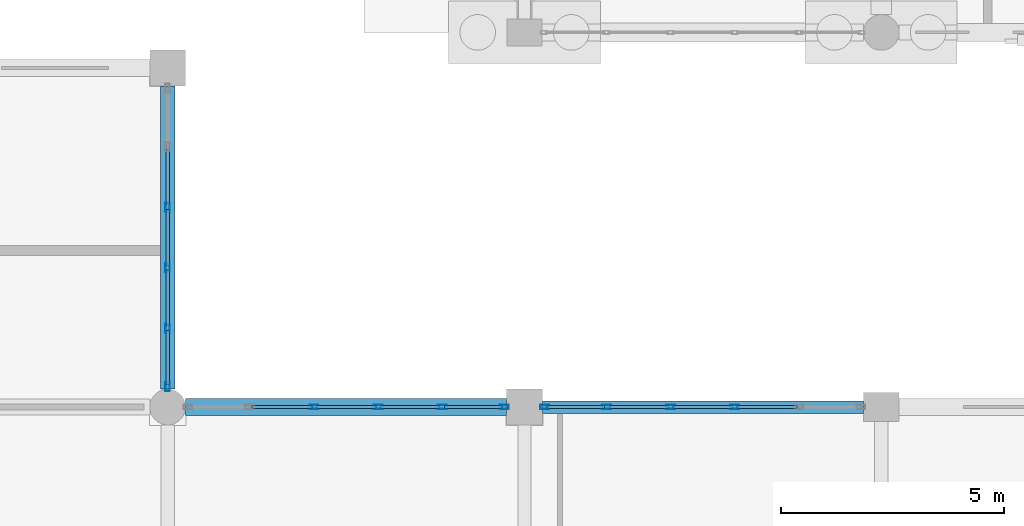
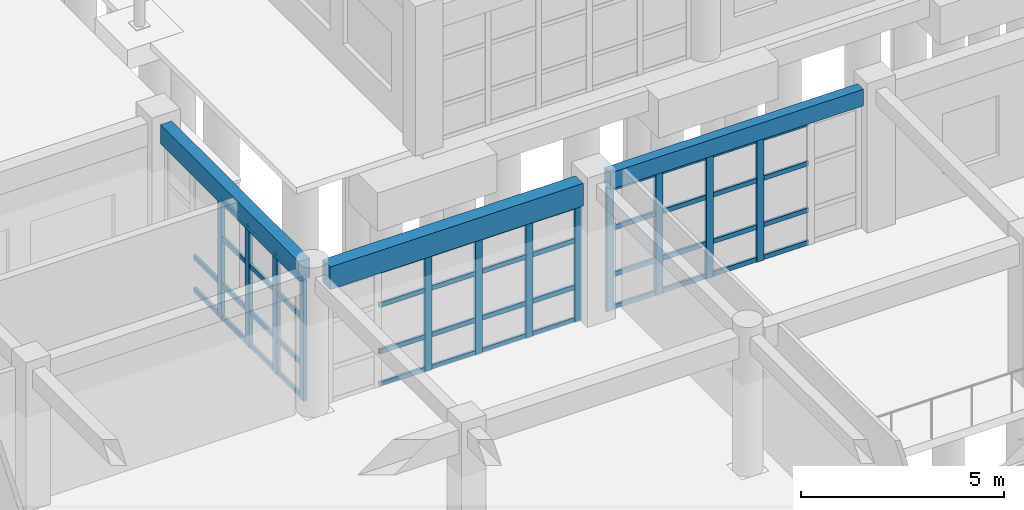
# One storey, part 85 of 166: 58 members, 3 beams, 3 elements without a shape of their own.
"""IFC4 building model written with IfcOpenShell, lengths in metres."""

from ifc_helpers import new_model, si_unit, direction, frame, origin, origin_2d, place, context, subcontext, project, spatial, rectangle, hollow_rectangle, extrude, material, material_profile, profile_set, type_object, element, aggregate, save


model = new_model("IFC4")

# Units and contexts
model_context = context("Model", 3, precision=1e-05, world=origin(), true_north=direction((0.0, 1.0)))
body_context = subcontext(model_context, "Body", "Model", "MODEL_VIEW")
ifc_project = project(units=[si_unit("LENGTHUNIT", "METRE"), si_unit("AREAUNIT", "SQUARE_METRE"), si_unit("VOLUMEUNIT", "CUBIC_METRE"), si_unit("PLANEANGLEUNIT", "RADIAN"), si_unit("MASSUNIT", "GRAM", prefix="KILO")], contexts=[model_context])

# Site, building, storey
site_placement = place(None, origin())
site = spatial("IfcSite", under=ifc_project, at=site_placement, CompositionType="ELEMENT")
building_placement = place(site_placement, origin())
building = spatial("IfcBuilding", under=site, at=building_placement, Name="Kharva Crest Polytechnic", CompositionType="ELEMENT")
storey_placement = place(building_placement, origin())
storey = spatial("IfcBuildingStorey", under=building, at=storey_placement, Name="L00", CompositionType="ELEMENT", Elevation=0.0)

# Curtain wall, members
ifc_material_1 = material(Name="Tempered insulated glass", Category="glass")
curtain_wall_type = type_object("IfcCurtainWallType", Name="CW-SYS-REFECTORY", PredefinedType="USERDEFINED", material=ifc_material_1)
curtain_wall_1_placement = place(storey_placement, origin())
curtain_wall_1 = element("IfcCurtainWall", 1, at=curtain_wall_1_placement, inside=storey, type_object=curtain_wall_type, Name="L00 Glazed Curtain Wall CW-005", ObjectType="CURTAIN WALL", PredefinedType="USERDEFINED")
ifc_material_2 = material(Name="Steel S355", Category="steel")
ifc_material_profile_1 = material_profile(ifc_material_2, hollow_rectangle(XDim=0.10009765625, YDim=0.199951171875, WallThickness=0.00634765625, at=origin_2d()), Name="RHS 200X100X6.3")
ifc_profile_set_1 = profile_set([ifc_material_profile_1], Name="Steel S355")
member_type_1 = type_object("IfcMemberType", Name="CWM-RHS200X100", PredefinedType="MULLION", material=ifc_profile_set_1)
member_1_placement = place(storey_placement, frame((144.800048828125, 30.85498046875, 0.0), z_axis=(0.0, 0.0, 1.0), x_axis=(-1.0, 0.0, 0.0)))
member_1 = element("IfcMember", 2, at=member_1_placement, type_object=member_type_1, Name="CW-005 mullion 1", PredefinedType="MULLION", context=body_context, shape_type="SweptSolid", body=[
    extrude(hollow_rectangle(XDim=0.10009765625, YDim=0.199951171875, WallThickness=0.00634765625, at=origin_2d()), origin(), (0.0, 0.0, 1.0), 3.639892578125),
])
member_2_placement = place(storey_placement, frame((144.800048828125, 32.1630859375, 0.0), z_axis=(0.0, 0.0, 1.0), x_axis=(-1.0, 0.0, 0.0)))
member_2 = element("IfcMember", 3, at=member_2_placement, type_object=member_type_1, Name="CW-005 mullion 2", PredefinedType="MULLION", context=body_context, shape_type="SweptSolid", body=[
    extrude(hollow_rectangle(XDim=0.10009765625, YDim=0.199951171875, WallThickness=0.00634765625, at=origin_2d()), origin(), (0.0, 0.0, 1.0), 3.639892578125),
])
member_3_placement = place(storey_placement, frame((144.800048828125, 33.52099609375, 0.0), z_axis=(0.0, 0.0, 1.0), x_axis=(-1.0, 0.0, 0.0)))
member_3 = element("IfcMember", 4, at=member_3_placement, type_object=member_type_1, Name="CW-005 mullion 3", PredefinedType="MULLION", context=body_context, shape_type="SweptSolid", body=[
    extrude(hollow_rectangle(XDim=0.10009765625, YDim=0.199951171875, WallThickness=0.00634765625, at=origin_2d()), origin(), (0.0, 0.0, 1.0), 3.639892578125),
])
member_4_placement = place(storey_placement, frame((144.800048828125, 34.87890625, 0.0), z_axis=(0.0, 0.0, 1.0), x_axis=(-1.0, 0.0, 0.0)))
member_4 = element("IfcMember", 5, at=member_4_placement, type_object=member_type_1, Name="CW-005 mullion 4", PredefinedType="MULLION", context=body_context, shape_type="SweptSolid", body=[
    extrude(hollow_rectangle(XDim=0.10009765625, YDim=0.199951171875, WallThickness=0.00634765625, at=origin_2d()), origin(), (0.0, 0.0, 1.0), 3.639892578125),
])

curtain_wall_2_placement = place(storey_placement, origin())
curtain_wall_2 = element("IfcCurtainWall", 6, at=curtain_wall_2_placement, inside=storey, type_object=curtain_wall_type, Name="L00 Glazed Curtain Wall CW-012", ObjectType="CURTAIN WALL", PredefinedType="USERDEFINED")
member_5_placement = place(storey_placement, frame((157.51904296875, 30.39990234375, 0.0), z_axis=(0.0, 0.0, 1.0), x_axis=(0.0, -1.0, 0.0)))
member_5 = element("IfcMember", 7, at=member_5_placement, type_object=member_type_1, Name="CW-012 mullion 3", PredefinedType="MULLION", context=body_context, shape_type="SweptSolid", body=[
    extrude(hollow_rectangle(XDim=0.10009765625, YDim=0.199951171875, WallThickness=0.00634765625, at=origin_2d()), origin(), (0.0, 0.0, 1.0), 3.719970703125),
])
member_6_placement = place(storey_placement, frame((156.0810546875, 30.39990234375, 0.0), z_axis=(0.0, 0.0, 1.0), x_axis=(0.0, -1.0, 0.0)))
member_6 = element("IfcMember", 8, at=member_6_placement, type_object=member_type_1, Name="CW-012 mullion 4", PredefinedType="MULLION", context=body_context, shape_type="SweptSolid", body=[
    extrude(hollow_rectangle(XDim=0.10009765625, YDim=0.199951171875, WallThickness=0.00634765625, at=origin_2d()), origin(), (0.0, 0.0, 1.0), 3.719970703125),
])
member_7_placement = place(storey_placement, frame((154.64306640625, 30.39990234375, 0.0), z_axis=(0.0, 0.0, 1.0), x_axis=(0.0, -1.0, 0.0)))
member_7 = element("IfcMember", 9, at=member_7_placement, type_object=member_type_1, Name="CW-012 mullion 5", PredefinedType="MULLION", context=body_context, shape_type="SweptSolid", body=[
    extrude(hollow_rectangle(XDim=0.10009765625, YDim=0.199951171875, WallThickness=0.00634765625, at=origin_2d()), origin(), (0.0, 0.0, 1.0), 3.719970703125),
])
member_8_placement = place(storey_placement, frame((153.2548828125, 30.39990234375, 0.0), z_axis=(0.0, 0.0, 1.0), x_axis=(0.0, -1.0, 0.0)))
member_8 = element("IfcMember", 10, at=member_8_placement, type_object=member_type_1, Name="CW-012 mullion 6", PredefinedType="MULLION", context=body_context, shape_type="SweptSolid", body=[
    extrude(hollow_rectangle(XDim=0.10009765625, YDim=0.199951171875, WallThickness=0.00634765625, at=origin_2d()), origin(), (0.0, 0.0, 1.0), 3.719970703125),
])

curtain_wall_3_placement = place(storey_placement, origin())
curtain_wall_3 = element("IfcCurtainWall", 11, at=curtain_wall_3_placement, inside=storey, type_object=curtain_wall_type, Name="L00 Glazed Curtain Wall CW-013", ObjectType="CURTAIN WALL", PredefinedType="USERDEFINED")
member_9_placement = place(storey_placement, frame((152.344970703125, 30.39990234375, 0.0), z_axis=(0.0, 0.0, 1.0), x_axis=(0.0, -1.0, 0.0)))
member_9 = element("IfcMember", 12, at=member_9_placement, type_object=member_type_1, Name="CW-013 mullion 1", PredefinedType="MULLION", context=body_context, shape_type="SweptSolid", body=[
    extrude(hollow_rectangle(XDim=0.10009765625, YDim=0.199951171875, WallThickness=0.00634765625, at=origin_2d()), origin(), (0.0, 0.0, 1.0), 3.5400390625),
])
member_10_placement = place(storey_placement, frame((150.95703125, 30.39990234375, 0.0), z_axis=(0.0, 0.0, 1.0), x_axis=(0.0, -1.0, 0.0)))
member_10 = element("IfcMember", 13, at=member_10_placement, type_object=member_type_1, Name="CW-013 mullion 2", PredefinedType="MULLION", context=body_context, shape_type="SweptSolid", body=[
    extrude(hollow_rectangle(XDim=0.10009765625, YDim=0.199951171875, WallThickness=0.00634765625, at=origin_2d()), origin(), (0.0, 0.0, 1.0), 3.5400390625),
])
member_11_placement = place(storey_placement, frame((149.51904296875, 30.39990234375, 0.0), z_axis=(0.0, 0.0, 1.0), x_axis=(0.0, -1.0, 0.0)))
member_11 = element("IfcMember", 14, at=member_11_placement, type_object=member_type_1, Name="CW-013 mullion 3", PredefinedType="MULLION", context=body_context, shape_type="SweptSolid", body=[
    extrude(hollow_rectangle(XDim=0.10009765625, YDim=0.199951171875, WallThickness=0.00634765625, at=origin_2d()), origin(), (0.0, 0.0, 1.0), 3.5400390625),
])
member_12_placement = place(storey_placement, frame((148.0810546875, 30.39990234375, 0.0), z_axis=(0.0, 0.0, 1.0), x_axis=(0.0, -1.0, 0.0)))
member_12 = element("IfcMember", 15, at=member_12_placement, type_object=member_type_1, Name="CW-013 mullion 4", PredefinedType="MULLION", context=body_context, shape_type="SweptSolid", body=[
    extrude(hollow_rectangle(XDim=0.10009765625, YDim=0.199951171875, WallThickness=0.00634765625, at=origin_2d()), origin(), (0.0, 0.0, 1.0), 3.5400390625),
])

# Member
ifc_material_profile_2 = material_profile(ifc_material_2, hollow_rectangle(XDim=0.070068359375, YDim=0.139892578125, WallThickness=0.00390625, at=origin_2d()), Name="RHS 140X70X4.0")
ifc_profile_set_2 = profile_set([ifc_material_profile_2], Name="Steel S355")
member_type_2 = type_object("IfcMemberType", Name="CWT-RHS140X70", PredefinedType="USERDEFINED", material=ifc_profile_set_2)
member_13_placement = place(storey_placement, frame((144.800048828125, 30.905029296875, 0.070068359375), z_axis=(0.0, 1.0, 0.0), x_axis=(-1.0, 0.0, 0.0)))
member_13 = element("IfcMember", 16, at=member_13_placement, type_object=member_type_2, Name="CW-005 transom 1.1", ObjectType="TRANSOM", PredefinedType="USERDEFINED", context=body_context, shape_type="SweptSolid", body=[
    extrude(hollow_rectangle(XDim=0.070068359375, YDim=0.139892578125, WallThickness=0.00390625, at=origin_2d()), origin(), (0.0, 0.0, 1.0), 1.2080078125),
])

member_14_placement = place(storey_placement, frame((144.800048828125, 30.905029296875, 1.050048828125), z_axis=(0.0, 1.0, 0.0), x_axis=(-1.0, 0.0, 0.0)))
member_14 = element("IfcMember", 17, at=member_14_placement, type_object=member_type_2, Name="CW-005 transom 1.2", ObjectType="TRANSOM", PredefinedType="USERDEFINED", context=body_context, shape_type="SweptSolid", body=[
    extrude(hollow_rectangle(XDim=0.070068359375, YDim=0.139892578125, WallThickness=0.00390625, at=origin_2d()), origin(), (0.0, 0.0, 1.0), 1.2080078125),
])

member_15_placement = place(storey_placement, frame((144.800048828125, 30.905029296875, 2.449951171875), z_axis=(0.0, 1.0, 0.0), x_axis=(-1.0, 0.0, 0.0)))
member_15 = element("IfcMember", 18, at=member_15_placement, type_object=member_type_2, Name="CW-005 transom 1.3", ObjectType="TRANSOM", PredefinedType="USERDEFINED", context=body_context, shape_type="SweptSolid", body=[
    extrude(hollow_rectangle(XDim=0.070068359375, YDim=0.139892578125, WallThickness=0.00390625, at=origin_2d()), origin(), (0.0, 0.0, 1.0), 1.2080078125),
])

member_16_placement = place(storey_placement, frame((144.800048828125, 30.905029296875, 3.570068359375), z_axis=(0.0, 1.0, 0.0), x_axis=(-1.0, 0.0, 0.0)))
member_16 = element("IfcMember", 19, at=member_16_placement, type_object=member_type_2, Name="CW-005 transom 1.4", ObjectType="TRANSOM", PredefinedType="USERDEFINED", context=body_context, shape_type="SweptSolid", body=[
    extrude(hollow_rectangle(XDim=0.070068359375, YDim=0.139892578125, WallThickness=0.00390625, at=origin_2d()), origin(), (0.0, 0.0, 1.0), 1.2080078125),
])

member_17_placement = place(storey_placement, frame((144.800048828125, 32.212890625, 0.070068359375), z_axis=(0.0, 1.0, 0.0), x_axis=(-1.0, 0.0, 0.0)))
member_17 = element("IfcMember", 20, at=member_17_placement, type_object=member_type_2, Name="CW-005 transom 2.1", ObjectType="TRANSOM", PredefinedType="USERDEFINED", context=body_context, shape_type="SweptSolid", body=[
    extrude(hollow_rectangle(XDim=0.070068359375, YDim=0.139892578125, WallThickness=0.00390625, at=origin_2d()), origin(), (0.0, 0.0, 1.0), 1.258056640625),
])

member_18_placement = place(storey_placement, frame((144.800048828125, 32.212890625, 1.050048828125), z_axis=(0.0, 1.0, 0.0), x_axis=(-1.0, 0.0, 0.0)))
member_18 = element("IfcMember", 21, at=member_18_placement, type_object=member_type_2, Name="CW-005 transom 2.2", ObjectType="TRANSOM", PredefinedType="USERDEFINED", context=body_context, shape_type="SweptSolid", body=[
    extrude(hollow_rectangle(XDim=0.070068359375, YDim=0.139892578125, WallThickness=0.00390625, at=origin_2d()), origin(), (0.0, 0.0, 1.0), 1.258056640625),
])

member_19_placement = place(storey_placement, frame((144.800048828125, 32.212890625, 2.449951171875), z_axis=(0.0, 1.0, 0.0), x_axis=(-1.0, 0.0, 0.0)))
member_19 = element("IfcMember", 22, at=member_19_placement, type_object=member_type_2, Name="CW-005 transom 2.3", ObjectType="TRANSOM", PredefinedType="USERDEFINED", context=body_context, shape_type="SweptSolid", body=[
    extrude(hollow_rectangle(XDim=0.070068359375, YDim=0.139892578125, WallThickness=0.00390625, at=origin_2d()), origin(), (0.0, 0.0, 1.0), 1.258056640625),
])

member_20_placement = place(storey_placement, frame((144.800048828125, 32.212890625, 3.570068359375), z_axis=(0.0, 1.0, 0.0), x_axis=(-1.0, 0.0, 0.0)))
member_20 = element("IfcMember", 23, at=member_20_placement, type_object=member_type_2, Name="CW-005 transom 2.4", ObjectType="TRANSOM", PredefinedType="USERDEFINED", context=body_context, shape_type="SweptSolid", body=[
    extrude(hollow_rectangle(XDim=0.070068359375, YDim=0.139892578125, WallThickness=0.00390625, at=origin_2d()), origin(), (0.0, 0.0, 1.0), 1.258056640625),
])

member_21_placement = place(storey_placement, frame((144.800048828125, 33.571044921875, 0.070068359375), z_axis=(0.0, 1.0, 0.0), x_axis=(-1.0, 0.0, 0.0)))
member_21 = element("IfcMember", 24, at=member_21_placement, type_object=member_type_2, Name="CW-005 transom 3.1", ObjectType="TRANSOM", PredefinedType="USERDEFINED", context=body_context, shape_type="SweptSolid", body=[
    extrude(hollow_rectangle(XDim=0.070068359375, YDim=0.139892578125, WallThickness=0.00390625, at=origin_2d()), origin(), (0.0, 0.0, 1.0), 1.258056640625),
])

member_22_placement = place(storey_placement, frame((144.800048828125, 33.571044921875, 1.050048828125), z_axis=(0.0, 1.0, 0.0), x_axis=(-1.0, 0.0, 0.0)))
member_22 = element("IfcMember", 25, at=member_22_placement, type_object=member_type_2, Name="CW-005 transom 3.2", ObjectType="TRANSOM", PredefinedType="USERDEFINED", context=body_context, shape_type="SweptSolid", body=[
    extrude(hollow_rectangle(XDim=0.070068359375, YDim=0.139892578125, WallThickness=0.00390625, at=origin_2d()), origin(), (0.0, 0.0, 1.0), 1.258056640625),
])

member_23_placement = place(storey_placement, frame((144.800048828125, 33.571044921875, 2.449951171875), z_axis=(0.0, 1.0, 0.0), x_axis=(-1.0, 0.0, 0.0)))
member_23 = element("IfcMember", 26, at=member_23_placement, type_object=member_type_2, Name="CW-005 transom 3.3", ObjectType="TRANSOM", PredefinedType="USERDEFINED", context=body_context, shape_type="SweptSolid", body=[
    extrude(hollow_rectangle(XDim=0.070068359375, YDim=0.139892578125, WallThickness=0.00390625, at=origin_2d()), origin(), (0.0, 0.0, 1.0), 1.258056640625),
])

member_24_placement = place(storey_placement, frame((144.800048828125, 33.571044921875, 3.570068359375), z_axis=(0.0, 1.0, 0.0), x_axis=(-1.0, 0.0, 0.0)))
member_24 = element("IfcMember", 27, at=member_24_placement, type_object=member_type_2, Name="CW-005 transom 3.4", ObjectType="TRANSOM", PredefinedType="USERDEFINED", context=body_context, shape_type="SweptSolid", body=[
    extrude(hollow_rectangle(XDim=0.070068359375, YDim=0.139892578125, WallThickness=0.00390625, at=origin_2d()), origin(), (0.0, 0.0, 1.0), 1.258056640625),
])

member_25_placement = place(storey_placement, frame((144.800048828125, 34.928955078125, 0.070068359375), z_axis=(0.0, 1.0, 0.0), x_axis=(-1.0, 0.0, 0.0)))
member_25 = element("IfcMember", 28, at=member_25_placement, type_object=member_type_2, Name="CW-005 transom 4.1", ObjectType="TRANSOM", PredefinedType="USERDEFINED", context=body_context, shape_type="SweptSolid", body=[
    extrude(hollow_rectangle(XDim=0.070068359375, YDim=0.139892578125, WallThickness=0.00390625, at=origin_2d()), origin(), (0.0, 0.0, 1.0), 1.258056640625),
])

member_26_placement = place(storey_placement, frame((144.800048828125, 34.928955078125, 1.050048828125), z_axis=(0.0, 1.0, 0.0), x_axis=(-1.0, 0.0, 0.0)))
member_26 = element("IfcMember", 29, at=member_26_placement, type_object=member_type_2, Name="CW-005 transom 4.2", ObjectType="TRANSOM", PredefinedType="USERDEFINED", context=body_context, shape_type="SweptSolid", body=[
    extrude(hollow_rectangle(XDim=0.070068359375, YDim=0.139892578125, WallThickness=0.00390625, at=origin_2d()), origin(), (0.0, 0.0, 1.0), 1.258056640625),
])

aggregate(curtain_wall_1, [member_1, member_2, member_3, member_4, member_13, member_14, member_15, member_16, member_17, member_18, member_19, member_20, member_21, member_22, member_23, member_24, member_25, member_26])

member_27_placement = place(storey_placement, frame((158.906982421875, 30.39990234375, 0.070068359375), z_axis=(-1.0, 0.0, 0.0), x_axis=(0.0, -1.0, 0.0)))
member_27 = element("IfcMember", 30, at=member_27_placement, type_object=member_type_2, Name="CW-012 transom 2.1", ObjectType="TRANSOM", PredefinedType="USERDEFINED", context=body_context, shape_type="SweptSolid", body=[
    extrude(hollow_rectangle(XDim=0.070068359375, YDim=0.139892578125, WallThickness=0.00390625, at=origin_2d()), origin(), (0.0, 0.0, 1.0), 1.337890625),
])

member_28_placement = place(storey_placement, frame((158.906982421875, 30.39990234375, 1.050048828125), z_axis=(-1.0, 0.0, 0.0), x_axis=(0.0, -1.0, 0.0)))
member_28 = element("IfcMember", 31, at=member_28_placement, type_object=member_type_2, Name="CW-012 transom 2.2", ObjectType="TRANSOM", PredefinedType="USERDEFINED", context=body_context, shape_type="SweptSolid", body=[
    extrude(hollow_rectangle(XDim=0.070068359375, YDim=0.139892578125, WallThickness=0.00390625, at=origin_2d()), origin(), (0.0, 0.0, 1.0), 1.337890625),
])

member_29_placement = place(storey_placement, frame((158.906982421875, 30.39990234375, 2.449951171875), z_axis=(-1.0, 0.0, 0.0), x_axis=(0.0, -1.0, 0.0)))
member_29 = element("IfcMember", 32, at=member_29_placement, type_object=member_type_2, Name="CW-012 transom 2.3", ObjectType="TRANSOM", PredefinedType="USERDEFINED", context=body_context, shape_type="SweptSolid", body=[
    extrude(hollow_rectangle(XDim=0.070068359375, YDim=0.139892578125, WallThickness=0.00390625, at=origin_2d()), origin(), (0.0, 0.0, 1.0), 1.337890625),
])

member_30_placement = place(storey_placement, frame((158.906982421875, 30.39990234375, 3.64990234375), z_axis=(-1.0, 0.0, 0.0), x_axis=(0.0, -1.0, 0.0)))
member_30 = element("IfcMember", 33, at=member_30_placement, type_object=member_type_2, Name="CW-012 transom 2.4", ObjectType="TRANSOM", PredefinedType="USERDEFINED", context=body_context, shape_type="SweptSolid", body=[
    extrude(hollow_rectangle(XDim=0.070068359375, YDim=0.139892578125, WallThickness=0.00390625, at=origin_2d()), origin(), (0.0, 0.0, 1.0), 1.337890625),
])

member_31_placement = place(storey_placement, frame((157.468994140625, 30.39990234375, 0.070068359375), z_axis=(-1.0, 0.0, 0.0), x_axis=(0.0, -1.0, 0.0)))
member_31 = element("IfcMember", 34, at=member_31_placement, type_object=member_type_2, Name="CW-012 transom 3.1", ObjectType="TRANSOM", PredefinedType="USERDEFINED", context=body_context, shape_type="SweptSolid", body=[
    extrude(hollow_rectangle(XDim=0.070068359375, YDim=0.139892578125, WallThickness=0.00390625, at=origin_2d()), origin(), (0.0, 0.0, 1.0), 1.337890625),
])

member_32_placement = place(storey_placement, frame((157.468994140625, 30.39990234375, 1.050048828125), z_axis=(-1.0, 0.0, 0.0), x_axis=(0.0, -1.0, 0.0)))
member_32 = element("IfcMember", 35, at=member_32_placement, type_object=member_type_2, Name="CW-012 transom 3.2", ObjectType="TRANSOM", PredefinedType="USERDEFINED", context=body_context, shape_type="SweptSolid", body=[
    extrude(hollow_rectangle(XDim=0.070068359375, YDim=0.139892578125, WallThickness=0.00390625, at=origin_2d()), origin(), (0.0, 0.0, 1.0), 1.337890625),
])

member_33_placement = place(storey_placement, frame((157.468994140625, 30.39990234375, 2.449951171875), z_axis=(-1.0, 0.0, 0.0), x_axis=(0.0, -1.0, 0.0)))
member_33 = element("IfcMember", 36, at=member_33_placement, type_object=member_type_2, Name="CW-012 transom 3.3", ObjectType="TRANSOM", PredefinedType="USERDEFINED", context=body_context, shape_type="SweptSolid", body=[
    extrude(hollow_rectangle(XDim=0.070068359375, YDim=0.139892578125, WallThickness=0.00390625, at=origin_2d()), origin(), (0.0, 0.0, 1.0), 1.337890625),
])

member_34_placement = place(storey_placement, frame((157.468994140625, 30.39990234375, 3.64990234375), z_axis=(-1.0, 0.0, 0.0), x_axis=(0.0, -1.0, 0.0)))
member_34 = element("IfcMember", 37, at=member_34_placement, type_object=member_type_2, Name="CW-012 transom 3.4", ObjectType="TRANSOM", PredefinedType="USERDEFINED", context=body_context, shape_type="SweptSolid", body=[
    extrude(hollow_rectangle(XDim=0.070068359375, YDim=0.139892578125, WallThickness=0.00390625, at=origin_2d()), origin(), (0.0, 0.0, 1.0), 1.337890625),
])

member_35_placement = place(storey_placement, frame((156.031005859375, 30.39990234375, 0.070068359375), z_axis=(-1.0, 0.0, 0.0), x_axis=(0.0, -1.0, 0.0)))
member_35 = element("IfcMember", 38, at=member_35_placement, type_object=member_type_2, Name="CW-012 transom 4.1", ObjectType="TRANSOM", PredefinedType="USERDEFINED", context=body_context, shape_type="SweptSolid", body=[
    extrude(hollow_rectangle(XDim=0.070068359375, YDim=0.139892578125, WallThickness=0.00390625, at=origin_2d()), origin(), (0.0, 0.0, 1.0), 1.337890625),
])

member_36_placement = place(storey_placement, frame((156.031005859375, 30.39990234375, 1.050048828125), z_axis=(-1.0, 0.0, 0.0), x_axis=(0.0, -1.0, 0.0)))
member_36 = element("IfcMember", 39, at=member_36_placement, type_object=member_type_2, Name="CW-012 transom 4.2", ObjectType="TRANSOM", PredefinedType="USERDEFINED", context=body_context, shape_type="SweptSolid", body=[
    extrude(hollow_rectangle(XDim=0.070068359375, YDim=0.139892578125, WallThickness=0.00390625, at=origin_2d()), origin(), (0.0, 0.0, 1.0), 1.337890625),
])

member_37_placement = place(storey_placement, frame((156.031005859375, 30.39990234375, 2.449951171875), z_axis=(-1.0, 0.0, 0.0), x_axis=(0.0, -1.0, 0.0)))
member_37 = element("IfcMember", 40, at=member_37_placement, type_object=member_type_2, Name="CW-012 transom 4.3", ObjectType="TRANSOM", PredefinedType="USERDEFINED", context=body_context, shape_type="SweptSolid", body=[
    extrude(hollow_rectangle(XDim=0.070068359375, YDim=0.139892578125, WallThickness=0.00390625, at=origin_2d()), origin(), (0.0, 0.0, 1.0), 1.337890625),
])

member_38_placement = place(storey_placement, frame((156.031005859375, 30.39990234375, 3.64990234375), z_axis=(-1.0, 0.0, 0.0), x_axis=(0.0, -1.0, 0.0)))
member_38 = element("IfcMember", 41, at=member_38_placement, type_object=member_type_2, Name="CW-012 transom 4.4", ObjectType="TRANSOM", PredefinedType="USERDEFINED", context=body_context, shape_type="SweptSolid", body=[
    extrude(hollow_rectangle(XDim=0.070068359375, YDim=0.139892578125, WallThickness=0.00390625, at=origin_2d()), origin(), (0.0, 0.0, 1.0), 1.337890625),
])

member_39_placement = place(storey_placement, frame((154.593017578125, 30.39990234375, 0.070068359375), z_axis=(-1.0, 0.0, 0.0), x_axis=(0.0, -1.0, 0.0)))
member_39 = element("IfcMember", 42, at=member_39_placement, type_object=member_type_2, Name="CW-012 transom 5.1", ObjectType="TRANSOM", PredefinedType="USERDEFINED", context=body_context, shape_type="SweptSolid", body=[
    extrude(hollow_rectangle(XDim=0.070068359375, YDim=0.139892578125, WallThickness=0.00390625, at=origin_2d()), origin(), (0.0, 0.0, 1.0), 1.2880859375),
])

member_40_placement = place(storey_placement, frame((154.593017578125, 30.39990234375, 1.050048828125), z_axis=(-1.0, 0.0, 0.0), x_axis=(0.0, -1.0, 0.0)))
member_40 = element("IfcMember", 43, at=member_40_placement, type_object=member_type_2, Name="CW-012 transom 5.2", ObjectType="TRANSOM", PredefinedType="USERDEFINED", context=body_context, shape_type="SweptSolid", body=[
    extrude(hollow_rectangle(XDim=0.070068359375, YDim=0.139892578125, WallThickness=0.00390625, at=origin_2d()), origin(), (0.0, 0.0, 1.0), 1.2880859375),
])

member_41_placement = place(storey_placement, frame((154.593017578125, 30.39990234375, 2.449951171875), z_axis=(-1.0, 0.0, 0.0), x_axis=(0.0, -1.0, 0.0)))
member_41 = element("IfcMember", 44, at=member_41_placement, type_object=member_type_2, Name="CW-012 transom 5.3", ObjectType="TRANSOM", PredefinedType="USERDEFINED", context=body_context, shape_type="SweptSolid", body=[
    extrude(hollow_rectangle(XDim=0.070068359375, YDim=0.139892578125, WallThickness=0.00390625, at=origin_2d()), origin(), (0.0, 0.0, 1.0), 1.2880859375),
])

member_42_placement = place(storey_placement, frame((154.593017578125, 30.39990234375, 3.64990234375), z_axis=(-1.0, 0.0, 0.0), x_axis=(0.0, -1.0, 0.0)))
member_42 = element("IfcMember", 45, at=member_42_placement, type_object=member_type_2, Name="CW-012 transom 5.4", ObjectType="TRANSOM", PredefinedType="USERDEFINED", context=body_context, shape_type="SweptSolid", body=[
    extrude(hollow_rectangle(XDim=0.070068359375, YDim=0.139892578125, WallThickness=0.00390625, at=origin_2d()), origin(), (0.0, 0.0, 1.0), 1.2880859375),
])

aggregate(curtain_wall_2, [member_5, member_6, member_7, member_8, member_27, member_28, member_29, member_30, member_31, member_32, member_33, member_34, member_35, member_36, member_37, member_38, member_39, member_40, member_41, member_42])

member_43_placement = place(storey_placement, frame((152.294921875, 30.39990234375, 0.070068359375), z_axis=(-1.0, 0.0, 0.0), x_axis=(0.0, -1.0, 0.0)))
member_43 = element("IfcMember", 46, at=member_43_placement, type_object=member_type_2, Name="CW-013 transom 1.1", ObjectType="TRANSOM", PredefinedType="USERDEFINED", context=body_context, shape_type="SweptSolid", body=[
    extrude(hollow_rectangle(XDim=0.070068359375, YDim=0.139892578125, WallThickness=0.00390625, at=origin_2d()), origin(), (0.0, 0.0, 1.0), 1.287841796875),
])

member_44_placement = place(storey_placement, frame((152.294921875, 30.39990234375, 1.050048828125), z_axis=(-1.0, 0.0, 0.0), x_axis=(0.0, -1.0, 0.0)))
member_44 = element("IfcMember", 47, at=member_44_placement, type_object=member_type_2, Name="CW-013 transom 1.2", ObjectType="TRANSOM", PredefinedType="USERDEFINED", context=body_context, shape_type="SweptSolid", body=[
    extrude(hollow_rectangle(XDim=0.070068359375, YDim=0.139892578125, WallThickness=0.00390625, at=origin_2d()), origin(), (0.0, 0.0, 1.0), 1.287841796875),
])

member_45_placement = place(storey_placement, frame((152.294921875, 30.39990234375, 2.449951171875), z_axis=(-1.0, 0.0, 0.0), x_axis=(0.0, -1.0, 0.0)))
member_45 = element("IfcMember", 48, at=member_45_placement, type_object=member_type_2, Name="CW-013 transom 1.3", ObjectType="TRANSOM", PredefinedType="USERDEFINED", context=body_context, shape_type="SweptSolid", body=[
    extrude(hollow_rectangle(XDim=0.070068359375, YDim=0.139892578125, WallThickness=0.00390625, at=origin_2d()), origin(), (0.0, 0.0, 1.0), 1.287841796875),
])

member_46_placement = place(storey_placement, frame((152.294921875, 30.39990234375, 3.469970703125), z_axis=(-1.0, 0.0, 0.0), x_axis=(0.0, -1.0, 0.0)))
member_46 = element("IfcMember", 49, at=member_46_placement, type_object=member_type_2, Name="CW-013 transom 1.4", ObjectType="TRANSOM", PredefinedType="USERDEFINED", context=body_context, shape_type="SweptSolid", body=[
    extrude(hollow_rectangle(XDim=0.070068359375, YDim=0.139892578125, WallThickness=0.00390625, at=origin_2d()), origin(), (0.0, 0.0, 1.0), 1.287841796875),
])

member_47_placement = place(storey_placement, frame((150.906982421875, 30.39990234375, 0.070068359375), z_axis=(-1.0, 0.0, 0.0), x_axis=(0.0, -1.0, 0.0)))
member_47 = element("IfcMember", 50, at=member_47_placement, type_object=member_type_2, Name="CW-013 transom 2.1", ObjectType="TRANSOM", PredefinedType="USERDEFINED", context=body_context, shape_type="SweptSolid", body=[
    extrude(hollow_rectangle(XDim=0.070068359375, YDim=0.139892578125, WallThickness=0.00390625, at=origin_2d()), origin(), (0.0, 0.0, 1.0), 1.337890625),
])

member_48_placement = place(storey_placement, frame((150.906982421875, 30.39990234375, 1.050048828125), z_axis=(-1.0, 0.0, 0.0), x_axis=(0.0, -1.0, 0.0)))
member_48 = element("IfcMember", 51, at=member_48_placement, type_object=member_type_2, Name="CW-013 transom 2.2", ObjectType="TRANSOM", PredefinedType="USERDEFINED", context=body_context, shape_type="SweptSolid", body=[
    extrude(hollow_rectangle(XDim=0.070068359375, YDim=0.139892578125, WallThickness=0.00390625, at=origin_2d()), origin(), (0.0, 0.0, 1.0), 1.337890625),
])

member_49_placement = place(storey_placement, frame((150.906982421875, 30.39990234375, 2.449951171875), z_axis=(-1.0, 0.0, 0.0), x_axis=(0.0, -1.0, 0.0)))
member_49 = element("IfcMember", 52, at=member_49_placement, type_object=member_type_2, Name="CW-013 transom 2.3", ObjectType="TRANSOM", PredefinedType="USERDEFINED", context=body_context, shape_type="SweptSolid", body=[
    extrude(hollow_rectangle(XDim=0.070068359375, YDim=0.139892578125, WallThickness=0.00390625, at=origin_2d()), origin(), (0.0, 0.0, 1.0), 1.337890625),
])

member_50_placement = place(storey_placement, frame((150.906982421875, 30.39990234375, 3.469970703125), z_axis=(-1.0, 0.0, 0.0), x_axis=(0.0, -1.0, 0.0)))
member_50 = element("IfcMember", 53, at=member_50_placement, type_object=member_type_2, Name="CW-013 transom 2.4", ObjectType="TRANSOM", PredefinedType="USERDEFINED", context=body_context, shape_type="SweptSolid", body=[
    extrude(hollow_rectangle(XDim=0.070068359375, YDim=0.139892578125, WallThickness=0.00390625, at=origin_2d()), origin(), (0.0, 0.0, 1.0), 1.337890625),
])

member_51_placement = place(storey_placement, frame((149.468994140625, 30.39990234375, 0.070068359375), z_axis=(-1.0, 0.0, 0.0), x_axis=(0.0, -1.0, 0.0)))
member_51 = element("IfcMember", 54, at=member_51_placement, type_object=member_type_2, Name="CW-013 transom 3.1", ObjectType="TRANSOM", PredefinedType="USERDEFINED", context=body_context, shape_type="SweptSolid", body=[
    extrude(hollow_rectangle(XDim=0.070068359375, YDim=0.139892578125, WallThickness=0.00390625, at=origin_2d()), origin(), (0.0, 0.0, 1.0), 1.337890625),
])

member_52_placement = place(storey_placement, frame((149.468994140625, 30.39990234375, 1.050048828125), z_axis=(-1.0, 0.0, 0.0), x_axis=(0.0, -1.0, 0.0)))
member_52 = element("IfcMember", 55, at=member_52_placement, type_object=member_type_2, Name="CW-013 transom 3.2", ObjectType="TRANSOM", PredefinedType="USERDEFINED", context=body_context, shape_type="SweptSolid", body=[
    extrude(hollow_rectangle(XDim=0.070068359375, YDim=0.139892578125, WallThickness=0.00390625, at=origin_2d()), origin(), (0.0, 0.0, 1.0), 1.337890625),
])

member_53_placement = place(storey_placement, frame((149.468994140625, 30.39990234375, 2.449951171875), z_axis=(-1.0, 0.0, 0.0), x_axis=(0.0, -1.0, 0.0)))
member_53 = element("IfcMember", 56, at=member_53_placement, type_object=member_type_2, Name="CW-013 transom 3.3", ObjectType="TRANSOM", PredefinedType="USERDEFINED", context=body_context, shape_type="SweptSolid", body=[
    extrude(hollow_rectangle(XDim=0.070068359375, YDim=0.139892578125, WallThickness=0.00390625, at=origin_2d()), origin(), (0.0, 0.0, 1.0), 1.337890625),
])

member_54_placement = place(storey_placement, frame((149.468994140625, 30.39990234375, 3.469970703125), z_axis=(-1.0, 0.0, 0.0), x_axis=(0.0, -1.0, 0.0)))
member_54 = element("IfcMember", 57, at=member_54_placement, type_object=member_type_2, Name="CW-013 transom 3.4", ObjectType="TRANSOM", PredefinedType="USERDEFINED", context=body_context, shape_type="SweptSolid", body=[
    extrude(hollow_rectangle(XDim=0.070068359375, YDim=0.139892578125, WallThickness=0.00390625, at=origin_2d()), origin(), (0.0, 0.0, 1.0), 1.337890625),
])

member_55_placement = place(storey_placement, frame((148.031005859375, 30.39990234375, 0.070068359375), z_axis=(-1.0, 0.0, 0.0), x_axis=(0.0, -1.0, 0.0)))
member_55 = element("IfcMember", 58, at=member_55_placement, type_object=member_type_2, Name="CW-013 transom 4.1", ObjectType="TRANSOM", PredefinedType="USERDEFINED", context=body_context, shape_type="SweptSolid", body=[
    extrude(hollow_rectangle(XDim=0.070068359375, YDim=0.139892578125, WallThickness=0.00390625, at=origin_2d()), origin(), (0.0, 0.0, 1.0), 1.337890625),
])

member_56_placement = place(storey_placement, frame((148.031005859375, 30.39990234375, 1.050048828125), z_axis=(-1.0, 0.0, 0.0), x_axis=(0.0, -1.0, 0.0)))
member_56 = element("IfcMember", 59, at=member_56_placement, type_object=member_type_2, Name="CW-013 transom 4.2", ObjectType="TRANSOM", PredefinedType="USERDEFINED", context=body_context, shape_type="SweptSolid", body=[
    extrude(hollow_rectangle(XDim=0.070068359375, YDim=0.139892578125, WallThickness=0.00390625, at=origin_2d()), origin(), (0.0, 0.0, 1.0), 1.337890625),
])

member_57_placement = place(storey_placement, frame((148.031005859375, 30.39990234375, 2.449951171875), z_axis=(-1.0, 0.0, 0.0), x_axis=(0.0, -1.0, 0.0)))
member_57 = element("IfcMember", 60, at=member_57_placement, type_object=member_type_2, Name="CW-013 transom 4.3", ObjectType="TRANSOM", PredefinedType="USERDEFINED", context=body_context, shape_type="SweptSolid", body=[
    extrude(hollow_rectangle(XDim=0.070068359375, YDim=0.139892578125, WallThickness=0.00390625, at=origin_2d()), origin(), (0.0, 0.0, 1.0), 1.337890625),
])

member_58_placement = place(storey_placement, frame((148.031005859375, 30.39990234375, 3.469970703125), z_axis=(-1.0, 0.0, 0.0), x_axis=(0.0, -1.0, 0.0)))
member_58 = element("IfcMember", 61, at=member_58_placement, type_object=member_type_2, Name="CW-013 transom 4.4", ObjectType="TRANSOM", PredefinedType="USERDEFINED", context=body_context, shape_type="SweptSolid", body=[
    extrude(hollow_rectangle(XDim=0.070068359375, YDim=0.139892578125, WallThickness=0.00390625, at=origin_2d()), origin(), (0.0, 0.0, 1.0), 1.337890625),
])

aggregate(curtain_wall_3, [member_9, member_10, member_11, member_12, member_43, member_44, member_45, member_46, member_47, member_48, member_49, member_50, member_51, member_52, member_53, member_54, member_55, member_56, member_57, member_58])

# Beams
ifc_material_3 = material(Name="Concrete C35/45", Category="concrete")
ifc_material_profile_3 = material_profile(ifc_material_3, rectangle(XDim=0.280029296875, YDim=0.5, at=origin_2d()), Name="RECT 280 X 500")
ifc_profile_set_3 = profile_set([ifc_material_profile_3], Name="Concrete C35/45")
beam_type_1 = type_object("IfcBeamType", Name="SP-RC-280X500", PredefinedType="SPANDREL", material=ifc_profile_set_3)
beam_1_placement = place(storey_placement, frame((153.199951171875, 30.39990234375, 3.969970703125), z_axis=(1.0, 0.0, 0.0), x_axis=(0.0, 1.0, 0.0)))
element("IfcBeam", 62, at=beam_1_placement, inside=storey, type_object=beam_type_1, Name="L00 Beam E/20-21", PredefinedType="SPANDREL", context=body_context, shape_type="SweptSolid", body=[
    extrude(rectangle(XDim=0.280029296875, YDim=0.5, at=origin_2d()), origin(), (0.0, 0.0, 1.0), 7.199951171875),
])
ifc_material_profile_4 = material_profile(ifc_material_3, rectangle(XDim=0.320068359375, YDim=0.580078125, at=origin_2d()), Name="RECT 320 X 580")
ifc_profile_set_4 = profile_set([ifc_material_profile_4], Name="Concrete C35/45")
beam_type_2 = type_object("IfcBeamType", Name="SP-RC-320X580", PredefinedType="SPANDREL", material=ifc_profile_set_4)
beam_2_placement = place(storey_placement, frame((144.800048828125, 30.800048828125, 3.929931640625), z_axis=(0.0, 1.0, 0.0), x_axis=(-1.0, 0.0, 0.0)))
element("IfcBeam", 63, at=beam_2_placement, inside=storey, type_object=beam_type_2, Name="L00 Girder 19/E-F", PredefinedType="SPANDREL", context=body_context, shape_type="SweptSolid", body=[
    extrude(rectangle(XDim=0.320068359375, YDim=0.580078125, at=origin_2d()), origin(), (0.0, 0.0, 1.0), 6.800048828125),
])
ifc_material_profile_5 = material_profile(ifc_material_3, rectangle(XDim=0.3798828125, YDim=0.679931640625, at=origin_2d()), Name="RECT 380 X 680")
ifc_profile_set_5 = profile_set([ifc_material_profile_5], Name="Concrete C35/45")
beam_type_3 = type_object("IfcBeamType", Name="SP-RC-380X680", PredefinedType="SPANDREL", material=ifc_profile_set_5)
beam_3_placement = place(storey_placement, frame((145.199951171875, 30.39990234375, 3.8798828125), z_axis=(1.0, 0.0, 0.0), x_axis=(0.0, 1.0, 0.0)))
element("IfcBeam", 64, at=beam_3_placement, inside=storey, type_object=beam_type_3, Name="L00 Beam E/19-20", PredefinedType="SPANDREL", context=body_context, shape_type="SweptSolid", body=[
    extrude(rectangle(XDim=0.3798828125, YDim=0.679931640625, at=origin_2d()), origin(), (0.0, 0.0, 1.0), 7.199951171875),
])

save(model, "model.ifc")
